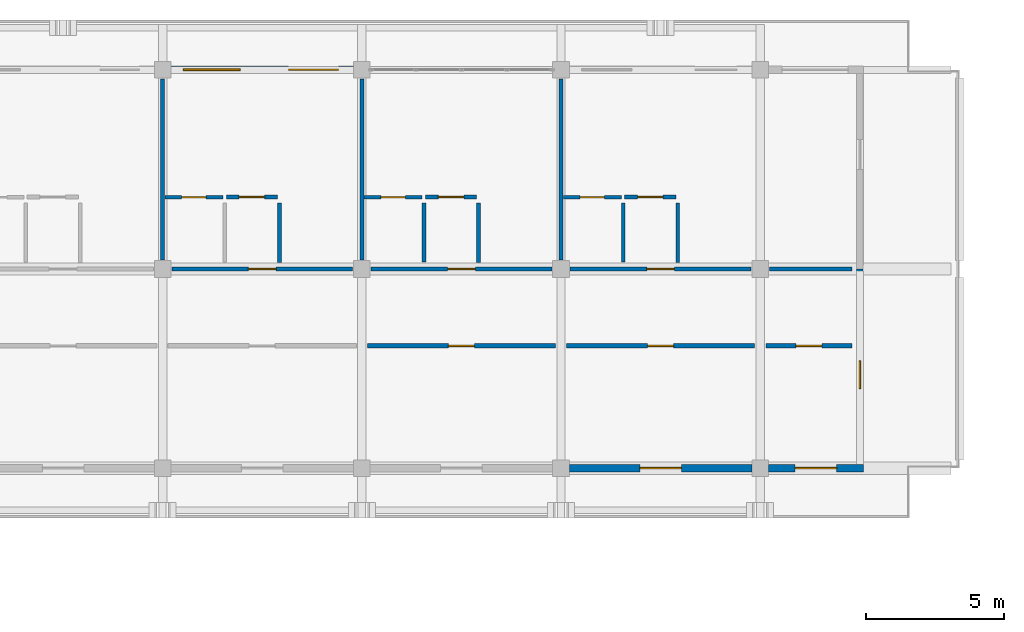
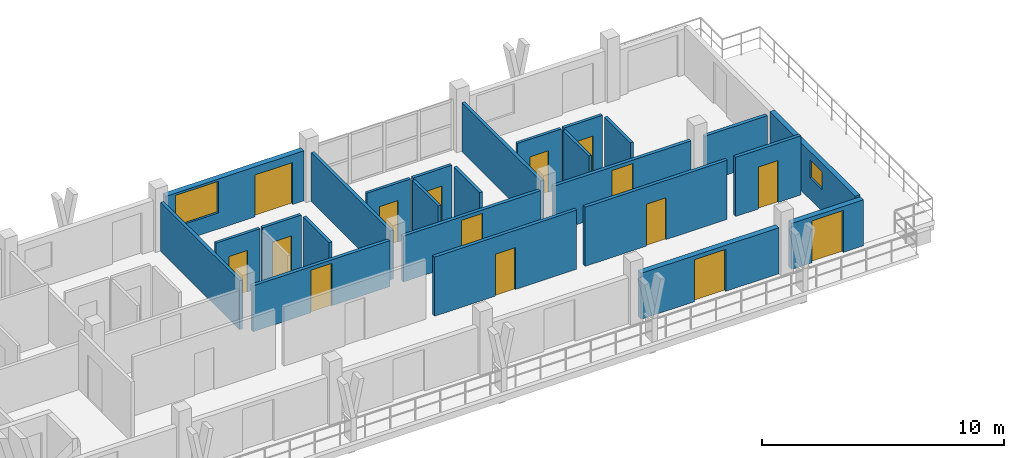
# One storey, part 42 of 67: 25 walls, 15 doors, 2 windows, 17 openings.
"""IFC4 building model written with IfcOpenShell, lengths in metres."""

from ifc_helpers import new_model, si_unit, direction, frame, frame_2d, origin, place, context, subcontext, project, spatial, rectangle, extrude, material, layer, layer_set, type_object, element, fill, save


model = new_model("IFC4")

# Units and contexts
model_context = context("Model", 3, precision=1e-05, world=origin(), true_north=direction((0.0, 1.0)))
body_context = subcontext(model_context, "Body", "Model", "MODEL_VIEW")
ifc_project = project(units=[si_unit("LENGTHUNIT", "METRE"), si_unit("AREAUNIT", "SQUARE_METRE"), si_unit("VOLUMEUNIT", "CUBIC_METRE"), si_unit("PLANEANGLEUNIT", "RADIAN"), si_unit("MASSUNIT", "GRAM", prefix="KILO")], contexts=[model_context])

# Site, building, storey
site_placement = place(None, origin())
site = spatial("IfcSite", under=ifc_project, at=site_placement, CompositionType="ELEMENT")
building_placement = place(site_placement, origin())
building = spatial("IfcBuilding", under=site, at=building_placement, Name="Suanplinth Sawtooth Commons", CompositionType="ELEMENT")
storey_placement = place(building_placement, frame((0.0, 0.0, 25.10009765625)))
storey = spatial("IfcBuildingStorey", under=building, at=storey_placement, Name="L07", CompositionType="ELEMENT", Elevation=25.10009765625)

# Wall, openings, door, window
ifc_material_1 = material(Name="Precast concrete C40/50", Category="concrete")
ifc_layer_1 = layer(ifc_material_1, 0.260009765625, Name="Insulated precast courtyard facade wall 260mm")
ifc_layer_set_1 = layer_set([ifc_layer_1], Name="Precast concrete C40/50")
wall_type_1 = type_object("IfcWallType", Name="W-EX02", PredefinedType="ELEMENTEDWALL", material=ifc_layer_set_1)
wall_1_placement = place(storey_placement, frame((79.5, 122.39990234375, 0.0), z_axis=(0.0, 0.0, 1.0), x_axis=(1.0, 0.0, 0.0)))
wall_1 = element("IfcWall", 1, at=wall_1_placement, inside=storey, type_object=wall_type_1, Name="Facade Wall W-L07-A-N-10", PredefinedType="ELEMENTEDWALL", context=body_context, shape_type="SweptSolid", body=[
    extrude(rectangle(XDim=6.60009765625, YDim=0.260009765625, at=frame_2d((3.300048828125, 0.0))), origin(), (0.0, 0.0, 1.0), 2.52490234375),
])
opening_1_placement = place(wall_1_placement, frame((4.25, 0.0, 0.0)))
opening_1 = element("IfcOpeningElement", 2, at=opening_1_placement, cuts=wall_1, Name="Opening ED0564", PredefinedType="OPENING", context=body_context, shape_type="SweptSolid", body=[
    extrude(rectangle(XDim=1.800048828125, YDim=2.1201171875, at=frame_2d((0.89990234375, 1.06005859375))), frame((0.0, 0.14501953125, 0.0), z_axis=(0.0, -1.0, 0.0), x_axis=(1.0, 0.0, 0.0)), (0.0, 0.0, 1.0), 0.289794921875),
])
opening_2_placement = place(wall_1_placement, frame((0.449951171875, 0.0, 0.81494140625)))
opening_2 = element("IfcOpeningElement", 3, at=opening_2_placement, cuts=wall_1, Name="Opening W0648", PredefinedType="OPENING", context=body_context, shape_type="SweptSolid", body=[
    extrude(rectangle(XDim=2.050048828125, YDim=1.60009765625, at=frame_2d((1.02490234375, 0.800048828125))), frame((0.0, 0.14501953125, 0.0), z_axis=(0.0, -1.0, 0.0), x_axis=(1.0, 0.0, 0.0)), (0.0, 0.0, 1.0), 0.289794921875),
])
ifc_material_2 = material(Name="Anodized aluminium and low-E glass", Category="aluminium")
door_type_1 = type_object("IfcDoorType", Name="SD-01", OperationType="SLIDING_TO_LEFT", PredefinedType="DOOR", material=ifc_material_2)
door_1_placement = place(opening_1_placement, frame((1.800048828125, 0.0, 0.0), z_axis=(0.0, 0.0, 1.0), x_axis=(-1.0, 0.0, 0.0)))
door_1 = element("IfcDoor", 4, at=door_1_placement, inside=storey, type_object=door_type_1, Name="Balcony Sliding Door L07-A-N-10", OperationType="SLIDING_TO_LEFT", OverallHeight=2.1201171875, OverallWidth=1.800048828125, PredefinedType="DOOR", context=body_context, shape_type="SweptSolid", body=[
    extrude(rectangle(XDim=1.800048828125, YDim=2.1201171875, at=frame_2d((0.89990234375, 1.06005859375))), frame((0.0, 0.02490234375, 0.0), z_axis=(0.0, -1.0, 0.0), x_axis=(1.0, 0.0, 0.0)), (0.0, 0.0, 1.0), 0.050048828125),
])
fill(opening_1, door_1)
ifc_material_3 = material(Name="Thermally broken aluminium and low-E double glazing", Category="aluminium")
window_type_1 = type_object("IfcWindowType", Name="WN-25", PartitioningType="DOUBLE_PANEL_VERTICAL", PredefinedType="WINDOW", material=ifc_material_3)
window_1_placement = place(opening_2_placement, origin())
window_1 = element("IfcWindow", 5, at=window_1_placement, inside=storey, type_object=window_type_1, Name="Window L07-A-N-10", OverallHeight=1.60009765625, OverallWidth=2.050048828125, PartitioningType="DOUBLE_PANEL_VERTICAL", PredefinedType="WINDOW", context=body_context, shape_type="SweptSolid", body=[
    extrude(rectangle(XDim=2.050048828125, YDim=1.60009765625, at=frame_2d((1.02490234375, 0.800048828125))), frame((0.0, 0.030029296875, 0.0), z_axis=(0.0, -1.0, 0.0), x_axis=(1.0, 0.0, 0.0)), (0.0, 0.0, 1.0), 0.06005859375),
])
fill(opening_2, window_1)

# Wall, opening, door
wall_2_placement = place(storey_placement, frame((93.89990234375, 108.0, 0.0), z_axis=(0.0, 0.0, 1.0), x_axis=(1.0, 0.0, 0.0)))
wall_2 = element("IfcWall", 6, at=wall_2_placement, inside=storey, type_object=wall_type_1, Name="Courtyard Wall W-L07-A-S-12", PredefinedType="ELEMENTEDWALL", context=body_context, shape_type="SweptSolid", body=[
    extrude(rectangle(XDim=6.60009765625, YDim=0.260009765625, at=frame_2d((3.300048828125, 0.0))), origin(), (0.0, 0.0, 1.0), 2.324951171875),
])
opening_3_placement = place(wall_2_placement, frame((2.550048828125, 0.0, 0.0)))
opening_3 = element("IfcOpeningElement", 7, at=opening_3_placement, cuts=wall_2, Name="Opening ED0568", PredefinedType="OPENING", context=body_context, shape_type="SweptSolid", body=[
    extrude(rectangle(XDim=1.5, YDim=2.1201171875, at=frame_2d((0.75, 1.06005859375))), frame((0.0, 0.14501953125, 0.0), z_axis=(0.0, -1.0, 0.0), x_axis=(1.0, 0.0, 0.0)), (0.0, 0.0, 1.0), 0.289794921875),
])
door_type_2 = type_object("IfcDoorType", Name="SD-03", OperationType="SLIDING_TO_LEFT", PredefinedType="DOOR", material=ifc_material_2)
door_2_placement = place(opening_3_placement, frame((1.5, 0.0, 0.0), z_axis=(0.0, 0.0, 1.0), x_axis=(-1.0, 0.0, 0.0)))
door_2 = element("IfcDoor", 8, at=door_2_placement, inside=storey, type_object=door_type_2, Name="Courtyard Balcony Sliding Door L07-A-S-12", OperationType="SLIDING_TO_LEFT", OverallHeight=2.1201171875, OverallWidth=1.5, PredefinedType="DOOR", context=body_context, shape_type="SweptSolid", body=[
    extrude(rectangle(XDim=1.5, YDim=2.1201171875, at=frame_2d((0.75, 1.06005859375))), frame((0.0, 0.02490234375, 0.0), z_axis=(0.0, -1.0, 0.0), x_axis=(1.0, 0.0, 0.0)), (0.0, 0.0, 1.0), 0.050048828125),
])
fill(opening_3, door_2)

wall_3_placement = place(storey_placement, frame((101.10009765625, 108.0, 0.0), z_axis=(0.0, 0.0, 1.0), x_axis=(1.0, 0.0, 0.0)))
wall_3 = element("IfcWall", 9, at=wall_3_placement, inside=storey, type_object=wall_type_1, Name="Courtyard Wall W-L07-A-S-13", PredefinedType="ELEMENTEDWALL", context=body_context, shape_type="SweptSolid", body=[
    extrude(rectangle(XDim=3.429931640625, YDim=0.260009765625, at=frame_2d((1.71484375, 0.0))), origin(), (0.0, 0.0, 1.0), 2.324951171875),
])
opening_4_placement = place(wall_3_placement, frame((0.965087890625, 0.0, 0.0)))
opening_4 = element("IfcOpeningElement", 10, at=opening_4_placement, cuts=wall_3, Name="Opening ED0570", PredefinedType="OPENING", context=body_context, shape_type="SweptSolid", body=[
    extrude(rectangle(XDim=1.5, YDim=2.1201171875, at=frame_2d((0.75, 1.06005859375))), frame((0.0, 0.14501953125, 0.0), z_axis=(0.0, -1.0, 0.0), x_axis=(1.0, 0.0, 0.0)), (0.0, 0.0, 1.0), 0.289794921875),
])
door_3_placement = place(opening_4_placement, frame((1.5, 0.0, 0.0), z_axis=(0.0, 0.0, 1.0), x_axis=(-1.0, 0.0, 0.0)))
door_3 = element("IfcDoor", 11, at=door_3_placement, inside=storey, type_object=door_type_2, Name="Courtyard Balcony Sliding Door L07-A-S-13", OperationType="SLIDING_TO_LEFT", OverallHeight=2.1201171875, OverallWidth=1.5, PredefinedType="DOOR", context=body_context, shape_type="SweptSolid", body=[
    extrude(rectangle(XDim=1.5, YDim=2.1201171875, at=frame_2d((0.75, 1.06005859375))), frame((0.0, 0.02490234375, 0.0), z_axis=(0.0, -1.0, 0.0), x_axis=(1.0, 0.0, 0.0)), (0.0, 0.0, 1.0), 0.050048828125),
])
fill(opening_4, door_3)

# Wall, opening, window
ifc_layer_2 = layer(ifc_material_1, 0.22998046875, Name="Stepped terrace insulated precast wall 230mm")
ifc_layer_set_2 = layer_set([ifc_layer_2], Name="Precast concrete C40/50")
wall_type_2 = type_object("IfcWallType", Name="W-EX06", PredefinedType="ELEMENTEDWALL", material=ifc_layer_set_2)
wall_4_placement = place(storey_placement, frame((104.39990234375, 108.1298828125, 0.0), z_axis=(0.0, 0.0, 1.0), x_axis=(0.0, 1.0, 0.0)))
wall_4 = element("IfcWall", 12, at=wall_4_placement, inside=storey, type_object=wall_type_2, Name="End Wall W-L07-A-E-15", PredefinedType="ELEMENTEDWALL", context=body_context, shape_type="SweptSolid", body=[
    extrude(rectangle(XDim=7.070068359375, YDim=0.22998046875, at=frame_2d((3.53515625, 0.0))), origin(), (0.0, 0.0, 1.0), 2.4248046875),
])
opening_5_placement = place(wall_4_placement, frame((2.75, 0.0, 1.10009765625)))
opening_5 = element("IfcOpeningElement", 13, at=opening_5_placement, cuts=wall_4, Name="Opening W0651", PredefinedType="OPENING", context=body_context, shape_type="SweptSolid", body=[
    extrude(rectangle(XDim=1.0, YDim=0.89990234375, at=frame_2d((0.5, 0.449951171875))), frame((0.0, 0.1298828125, 0.0), z_axis=(0.0, -1.0, 0.0), x_axis=(1.0, 0.0, 0.0)), (0.0, 0.0, 1.0), 0.259765625),
])
window_type_2 = type_object("IfcWindowType", Name="WN-12", PartitioningType="SINGLE_PANEL", PredefinedType="WINDOW", material=ifc_material_3)
window_2_placement = place(opening_5_placement, origin())
window_2 = element("IfcWindow", 14, at=window_2_placement, inside=storey, type_object=window_type_2, Name="End Window L07-A-E-15", OverallHeight=0.89990234375, OverallWidth=1.0, PartitioningType="SINGLE_PANEL", PredefinedType="WINDOW", context=body_context, shape_type="SweptSolid", body=[
    extrude(rectangle(XDim=1.0, YDim=0.89990234375, at=frame_2d((0.5, 0.449951171875))), frame((0.0, 0.030029296875, 0.0), z_axis=(0.0, -1.0, 0.0), x_axis=(1.0, 0.0, 0.0)), (0.0, 0.0, 1.0), 0.06005859375),
])
fill(opening_5, window_2)

# Wall, opening, door
ifc_layer_3 = layer(ifc_material_1, 0.159912109375, Name="Fire-rated corridor and lobby wall 160mm")
ifc_layer_set_3 = layer_set([ifc_layer_3], Name="Precast concrete C40/50")
wall_type_3 = type_object("IfcWallType", Name="W-FW01", PredefinedType="PARTITIONING", material=ifc_layer_set_3)
wall_5_placement = place(storey_placement, frame((79.530029296875, 115.199951171875, 0.0), z_axis=(0.0, 0.0, 1.0), x_axis=(1.0, 0.0, 0.0)))
wall_5 = element("IfcWall", 15, at=wall_5_placement, inside=storey, type_object=wall_type_3, Name="W-A-L07-U08-COR", PredefinedType="PARTITIONING", context=body_context, shape_type="SweptSolid", body=[
    extrude(rectangle(XDim=6.5400390625, YDim=0.159912109375, at=frame_2d((3.27001953125, 0.0))), origin(), (0.0, 0.0, 1.0), 2.324951171875),
])
opening_6_placement = place(wall_5_placement, frame((2.77001953125, 0.0, 0.0)))
opening_6 = element("IfcOpeningElement", 16, at=opening_6_placement, cuts=wall_5, Name="Opening FD1524", PredefinedType="OPENING", context=body_context, shape_type="SweptSolid", body=[
    extrude(rectangle(XDim=1.0, YDim=2.14990234375, at=frame_2d((0.5, 1.074951171875))), frame((0.0, 0.0947265625, 0.0), z_axis=(0.0, -1.0, 0.0), x_axis=(1.0, 0.0, 0.0)), (0.0, 0.0, 1.0), 0.189697265625),
])
ifc_material_4 = material(Name="Teak hardwood fire-rated door assembly", Category="wood")
door_type_3 = type_object("IfcDoorType", Name="FD-03", OperationType="NOTDEFINED", PredefinedType="DOOR", material=ifc_material_4)
door_4_placement = place(opening_6_placement, origin())
door_4 = element("IfcDoor", 17, at=door_4_placement, inside=storey, type_object=door_type_3, Name="Unit Entrance Door FD1524", OperationType="SINGLE_SWING_RIGHT", OverallHeight=2.14990234375, OverallWidth=1.0, PredefinedType="DOOR", context=body_context, shape_type="SweptSolid", body=[
    extrude(rectangle(XDim=1.0, YDim=2.14990234375, at=frame_2d((0.5, 1.074951171875))), frame((0.0, 0.02490234375, 0.0), z_axis=(0.0, -1.0, 0.0), x_axis=(1.0, 0.0, 0.0)), (0.0, 0.0, 1.0), 0.050048828125),
])
fill(opening_6, door_4)

wall_6_placement = place(storey_placement, frame((86.72998046875, 115.199951171875, 0.0), z_axis=(0.0, 0.0, 1.0), x_axis=(1.0, 0.0, 0.0)))
wall_6 = element("IfcWall", 18, at=wall_6_placement, inside=storey, type_object=wall_type_3, Name="W-A-L07-U09-COR", PredefinedType="PARTITIONING", context=body_context, shape_type="SweptSolid", body=[
    extrude(rectangle(XDim=6.5400390625, YDim=0.159912109375, at=frame_2d((3.27001953125, 0.0))), origin(), (0.0, 0.0, 1.0), 2.324951171875),
])
opening_7_placement = place(wall_6_placement, frame((2.77001953125, 0.0, 0.0)))
opening_7 = element("IfcOpeningElement", 19, at=opening_7_placement, cuts=wall_6, Name="Opening FD1527", PredefinedType="OPENING", context=body_context, shape_type="SweptSolid", body=[
    extrude(rectangle(XDim=1.0, YDim=2.14990234375, at=frame_2d((0.5, 1.074951171875))), frame((0.0, 0.0947265625, 0.0), z_axis=(0.0, -1.0, 0.0), x_axis=(1.0, 0.0, 0.0)), (0.0, 0.0, 1.0), 0.189697265625),
])
door_5_placement = place(opening_7_placement, origin())
door_5 = element("IfcDoor", 20, at=door_5_placement, inside=storey, type_object=door_type_3, Name="Unit Entrance Door FD1527", OperationType="SINGLE_SWING_LEFT", OverallHeight=2.14990234375, OverallWidth=1.0, PredefinedType="DOOR", context=body_context, shape_type="SweptSolid", body=[
    extrude(rectangle(XDim=1.0, YDim=2.14990234375, at=frame_2d((0.5, 1.074951171875))), frame((0.0, 0.02490234375, 0.0), z_axis=(0.0, -1.0, 0.0), x_axis=(1.0, 0.0, 0.0)), (0.0, 0.0, 1.0), 0.050048828125),
])
fill(opening_7, door_5)

wall_7_placement = place(storey_placement, frame((93.929931640625, 115.199951171875, 0.0), z_axis=(0.0, 0.0, 1.0), x_axis=(1.0, 0.0, 0.0)))
wall_7 = element("IfcWall", 21, at=wall_7_placement, inside=storey, type_object=wall_type_3, Name="W-A-L07-U10-COR-S1", PredefinedType="PARTITIONING", context=body_context, shape_type="SweptSolid", body=[
    extrude(rectangle(XDim=6.5400390625, YDim=0.159912109375, at=frame_2d((3.27001953125, 0.0))), origin(), (0.0, 0.0, 1.0), 2.324951171875),
])
opening_8_placement = place(wall_7_placement, frame((2.77001953125, 0.0, 0.0)))
opening_8 = element("IfcOpeningElement", 22, at=opening_8_placement, cuts=wall_7, Name="Opening FD1530", PredefinedType="OPENING", context=body_context, shape_type="SweptSolid", body=[
    extrude(rectangle(XDim=1.0, YDim=2.14990234375, at=frame_2d((0.5, 1.074951171875))), frame((0.0, 0.0947265625, 0.0), z_axis=(0.0, -1.0, 0.0), x_axis=(1.0, 0.0, 0.0)), (0.0, 0.0, 1.0), 0.189697265625),
])
door_6_placement = place(opening_8_placement, origin())
door_6 = element("IfcDoor", 23, at=door_6_placement, inside=storey, type_object=door_type_3, Name="Unit Entrance Door FD1530", OperationType="SINGLE_SWING_RIGHT", OverallHeight=2.14990234375, OverallWidth=1.0, PredefinedType="DOOR", context=body_context, shape_type="SweptSolid", body=[
    extrude(rectangle(XDim=1.0, YDim=2.14990234375, at=frame_2d((0.5, 1.074951171875))), frame((0.0, 0.02490234375, 0.0), z_axis=(0.0, -1.0, 0.0), x_axis=(1.0, 0.0, 0.0)), (0.0, 0.0, 1.0), 0.050048828125),
])
fill(opening_8, door_6)

# Wall
wall_8_placement = place(storey_placement, frame((101.1298828125, 115.199951171875, 0.0), z_axis=(0.0, 0.0, 1.0), x_axis=(1.0, 0.0, 0.0)))
element("IfcWall", 24, at=wall_8_placement, inside=storey, type_object=wall_type_3, Name="W-A-L07-U10-COR-S2", PredefinedType="PARTITIONING", context=body_context, shape_type="SweptSolid", body=[
    extrude(rectangle(XDim=2.990234375, YDim=0.159912109375, at=frame_2d((1.4951171875, 0.0))), origin(), (0.0, 0.0, 1.0), 2.324951171875),
])

# Wall, opening, door
wall_9_placement = place(storey_placement, frame((86.60009765625, 112.419921875, 0.0), z_axis=(0.0, 0.0, 1.0), x_axis=(1.0, 0.0, 0.0)))
wall_9 = element("IfcWall", 25, at=wall_9_placement, inside=storey, type_object=wall_type_3, Name="W-A-L07-COURTROOM-17-COR", PredefinedType="PARTITIONING", context=body_context, shape_type="SweptSolid", body=[
    extrude(rectangle(XDim=6.7998046875, YDim=0.159912109375, at=frame_2d((3.39990234375, 0.0))), origin(), (0.0, 0.0, 1.0), 2.989990234375),
])
opening_9_placement = place(wall_9_placement, frame((2.929931640625, 0.0, 0.0)))
opening_9 = element("IfcOpeningElement", 26, at=opening_9_placement, cuts=wall_9, Name="Opening D1540", PredefinedType="OPENING", context=body_context, shape_type="SweptSolid", body=[
    extrude(rectangle(XDim=0.93994140625, YDim=2.1201171875, at=frame_2d((0.469970703125, 1.06005859375))), frame((0.0, 0.0947265625, 0.0), z_axis=(0.0, -1.0, 0.0), x_axis=(1.0, 0.0, 0.0)), (0.0, 0.0, 1.0), 0.189697265625),
])
ifc_material_5 = material(Name="Teak hardwood", Category="wood")
door_type_4 = type_object("IfcDoorType", Name="D-15", OperationType="NOTDEFINED", PredefinedType="DOOR", material=ifc_material_5)
door_7_placement = place(opening_9_placement, frame((0.93994140625, 0.0, 0.0), z_axis=(0.0, 0.0, 1.0), x_axis=(-1.0, 0.0, 0.0)))
door_7 = element("IfcDoor", 27, at=door_7_placement, inside=storey, type_object=door_type_4, Name="Study Studio Door D1540", OperationType="SINGLE_SWING_RIGHT", OverallHeight=2.1201171875, OverallWidth=0.93994140625, PredefinedType="DOOR", context=body_context, shape_type="SweptSolid", body=[
    extrude(rectangle(XDim=0.93994140625, YDim=2.1201171875, at=frame_2d((0.469970703125, 1.06005859375))), frame((0.0, 0.02490234375, 0.0), z_axis=(0.0, -1.0, 0.0), x_axis=(1.0, 0.0, 0.0)), (0.0, 0.0, 1.0), 0.050048828125),
])
fill(opening_9, door_7)

wall_10_placement = place(storey_placement, frame((93.800048828125, 112.419921875, 0.0), z_axis=(0.0, 0.0, 1.0), x_axis=(1.0, 0.0, 0.0)))
wall_10 = element("IfcWall", 28, at=wall_10_placement, inside=storey, type_object=wall_type_3, Name="W-A-L07-COURTROOM-18-COR", PredefinedType="PARTITIONING", context=body_context, shape_type="SweptSolid", body=[
    extrude(rectangle(XDim=6.800048828125, YDim=0.159912109375, at=frame_2d((3.39990234375, 0.0))), origin(), (0.0, 0.0, 1.0), 2.989990234375),
])
opening_10_placement = place(wall_10_placement, frame((2.929931640625, 0.0, 0.0)))
opening_10 = element("IfcOpeningElement", 29, at=opening_10_placement, cuts=wall_10, Name="Opening D1541", PredefinedType="OPENING", context=body_context, shape_type="SweptSolid", body=[
    extrude(rectangle(XDim=0.93994140625, YDim=2.1201171875, at=frame_2d((0.469970703125, 1.06005859375))), frame((0.0, 0.0947265625, 0.0), z_axis=(0.0, -1.0, 0.0), x_axis=(1.0, 0.0, 0.0)), (0.0, 0.0, 1.0), 0.189697265625),
])
door_8_placement = place(opening_10_placement, frame((0.93994140625, 0.0, 0.0), z_axis=(0.0, 0.0, 1.0), x_axis=(-1.0, 0.0, 0.0)))
door_8 = element("IfcDoor", 30, at=door_8_placement, inside=storey, type_object=door_type_4, Name="Study Studio Door D1541", OperationType="SINGLE_SWING_LEFT", OverallHeight=2.1201171875, OverallWidth=0.93994140625, PredefinedType="DOOR", context=body_context, shape_type="SweptSolid", body=[
    extrude(rectangle(XDim=0.93994140625, YDim=2.1201171875, at=frame_2d((0.469970703125, 1.06005859375))), frame((0.0, 0.02490234375, 0.0), z_axis=(0.0, -1.0, 0.0), x_axis=(1.0, 0.0, 0.0)), (0.0, 0.0, 1.0), 0.050048828125),
])
fill(opening_10, door_8)

wall_11_placement = place(storey_placement, frame((101.0, 112.419921875, 0.0), z_axis=(0.0, 0.0, 1.0), x_axis=(1.0, 0.0, 0.0)))
wall_11 = element("IfcWall", 31, at=wall_11_placement, inside=storey, type_object=wall_type_3, Name="W-A-L07-COURTROOM-19-COR", PredefinedType="PARTITIONING", context=body_context, shape_type="SweptSolid", body=[
    extrude(rectangle(XDim=3.1201171875, YDim=0.159912109375, at=frame_2d((1.56005859375, 0.0))), origin(), (0.0, 0.0, 1.0), 2.989990234375),
])
opening_11_placement = place(wall_11_placement, frame((1.090087890625, 0.0, 0.0)))
opening_11 = element("IfcOpeningElement", 32, at=opening_11_placement, cuts=wall_11, Name="Opening D1542", PredefinedType="OPENING", context=body_context, shape_type="SweptSolid", body=[
    extrude(rectangle(XDim=0.93994140625, YDim=2.1201171875, at=frame_2d((0.469970703125, 1.06005859375))), frame((0.0, 0.0947265625, 0.0), z_axis=(0.0, -1.0, 0.0), x_axis=(1.0, 0.0, 0.0)), (0.0, 0.0, 1.0), 0.189697265625),
])
door_9_placement = place(opening_11_placement, frame((0.93994140625, 0.0, 0.0), z_axis=(0.0, 0.0, 1.0), x_axis=(-1.0, 0.0, 0.0)))
door_9 = element("IfcDoor", 33, at=door_9_placement, inside=storey, type_object=door_type_4, Name="Study Studio Door D1542", OperationType="SINGLE_SWING_RIGHT", OverallHeight=2.1201171875, OverallWidth=0.93994140625, PredefinedType="DOOR", context=body_context, shape_type="SweptSolid", body=[
    extrude(rectangle(XDim=0.93994140625, YDim=2.1201171875, at=frame_2d((0.469970703125, 1.06005859375))), frame((0.0, 0.02490234375, 0.0), z_axis=(0.0, -1.0, 0.0), x_axis=(1.0, 0.0, 0.0)), (0.0, 0.0, 1.0), 0.050048828125),
])
fill(opening_11, door_9)

# Walls
ifc_layer_4 = layer(ifc_material_1, 0.14990234375, Name="Acoustic precast party demising wall 150mm")
ifc_layer_set_4 = layer_set([ifc_layer_4], Name="Precast concrete C40/50")
wall_type_4 = type_object("IfcWallType", Name="W-FW02", PredefinedType="PARTITIONING", material=ifc_layer_set_4)
for number, where, z_axis, x_axis, name in (
    (34, (79.199951171875, 115.530029296875, 0.0), (0.0, 0.0, 1.0), (0.0, 1.0, 0.0), "W-A-L07-U07-PTY"),
    (35, (86.39990234375, 115.530029296875, 0.0), (0.0, 0.0, 1.0), (0.0, 1.0, 0.0), "W-A-L07-U08-PTY"),
    (36, (93.60009765625, 115.530029296875, 0.0), (0.0, 0.0, 1.0), (0.0, 1.0, 0.0), "W-A-L07-U09-PTY"),
):
    element("IfcWall", number, at=place(storey_placement, frame(where, z_axis=z_axis, x_axis=x_axis)), inside=storey, type_object=wall_type_4, Name=name, PredefinedType="PARTITIONING", context=body_context, shape_type="SweptSolid", body=[
        extrude(rectangle(XDim=6.5400390625, YDim=0.14990234375, at=frame_2d((3.27001953125, 0.0))), origin(), (0.0, 0.0, 1.0), 2.474853515625),
    ])

# Wall, opening, door
ifc_material_6 = material(Name="Gypsum plasterboard on steel stud", Category="steel")
ifc_layer_5 = layer(ifc_material_6, 0.139892578125, Name="Fire-rated kitchen partition 140mm")
ifc_layer_set_5 = layer_set([ifc_layer_5], Name="Gypsum plasterboard on steel stud")
wall_type_5 = type_object("IfcWallType", Name="W-PT01", PredefinedType="PARTITIONING", material=ifc_layer_set_5)
wall_12_placement = place(storey_placement, frame((81.5, 117.800048828125, 0.0), z_axis=(0.0, 0.0, 1.0), x_axis=(1.0, 0.0, 0.0)))
wall_12 = element("IfcWall", 37, at=wall_12_placement, inside=storey, type_object=wall_type_5, Name="W-A-L07-U08-KIT1", PredefinedType="PARTITIONING", context=body_context, shape_type="SweptSolid", body=[
    extrude(rectangle(XDim=1.85009765625, YDim=0.139892578125, at=frame_2d((0.925048828125, 0.0))), origin(), (0.0, 0.0, 1.0), 2.989990234375),
])
opening_12_placement = place(wall_12_placement, frame((0.465087890625, 0.0, 0.0)))
opening_12 = element("IfcOpeningElement", 38, at=opening_12_placement, cuts=wall_12, Name="Opening D1526", PredefinedType="OPENING", context=body_context, shape_type="SweptSolid", body=[
    extrude(rectangle(XDim=0.919921875, YDim=2.10009765625, at=frame_2d((0.4599609375, 1.050048828125))), frame((0.0, 0.0849609375, 0.0), z_axis=(0.0, -1.0, 0.0), x_axis=(1.0, 0.0, 0.0)), (0.0, 0.0, 1.0), 0.169677734375),
])
door_type_5 = type_object("IfcDoorType", Name="D-02", OperationType="NOTDEFINED", PredefinedType="DOOR", material=ifc_material_5)
door_10_placement = place(opening_12_placement, frame((0.919921875, 0.0, 0.0), z_axis=(0.0, 0.0, 1.0), x_axis=(-1.0, 0.0, 0.0)))
door_10 = element("IfcDoor", 39, at=door_10_placement, inside=storey, type_object=door_type_5, Name="Kitchen Door D1526", OperationType="SINGLE_SWING_RIGHT", OverallHeight=2.10009765625, OverallWidth=0.919921875, PredefinedType="DOOR", context=body_context, shape_type="SweptSolid", body=[
    extrude(rectangle(XDim=0.919921875, YDim=2.10009765625, at=frame_2d((0.4599609375, 1.050048828125))), frame((0.0, 0.02490234375, 0.0), z_axis=(0.0, -1.0, 0.0), x_axis=(1.0, 0.0, 0.0)), (0.0, 0.0, 1.0), 0.050048828125),
])
fill(opening_12, door_10)

# Wall
wall_13_placement = place(storey_placement, frame((83.419921875, 115.429931640625, 0.0), z_axis=(0.0, 0.0, 1.0), x_axis=(0.0, 1.0, 0.0)))
element("IfcWall", 40, at=wall_13_placement, inside=storey, type_object=wall_type_5, Name="W-A-L07-U08-KIT2", PredefinedType="PARTITIONING", context=body_context, shape_type="SweptSolid", body=[
    extrude(rectangle(XDim=2.150146484375, YDim=0.139892578125, at=frame_2d((1.0751953125, 0.0))), origin(), (0.0, 0.0, 1.0), 2.989990234375),
])

# Wall, opening, door
wall_14_placement = place(storey_placement, frame((88.699951171875, 117.800048828125, 0.0), z_axis=(0.0, 0.0, 1.0), x_axis=(1.0, 0.0, 0.0)))
wall_14 = element("IfcWall", 41, at=wall_14_placement, inside=storey, type_object=wall_type_5, Name="W-A-L07-U09-KIT1", PredefinedType="PARTITIONING", context=body_context, shape_type="SweptSolid", body=[
    extrude(rectangle(XDim=1.85009765625, YDim=0.139892578125, at=frame_2d((0.925048828125, 0.0))), origin(), (0.0, 0.0, 1.0), 2.989990234375),
])
opening_13_placement = place(wall_14_placement, frame((0.465087890625, 0.0, 0.0)))
opening_13 = element("IfcOpeningElement", 42, at=opening_13_placement, cuts=wall_14, Name="Opening D1529", PredefinedType="OPENING", context=body_context, shape_type="SweptSolid", body=[
    extrude(rectangle(XDim=0.919921875, YDim=2.10009765625, at=frame_2d((0.4599609375, 1.050048828125))), frame((0.0, 0.0849609375, 0.0), z_axis=(0.0, -1.0, 0.0), x_axis=(1.0, 0.0, 0.0)), (0.0, 0.0, 1.0), 0.169677734375),
])
door_11_placement = place(opening_13_placement, frame((0.919921875, 0.0, 0.0), z_axis=(0.0, 0.0, 1.0), x_axis=(-1.0, 0.0, 0.0)))
door_11 = element("IfcDoor", 43, at=door_11_placement, inside=storey, type_object=door_type_5, Name="Kitchen Door D1529", OperationType="SINGLE_SWING_LEFT", OverallHeight=2.10009765625, OverallWidth=0.919921875, PredefinedType="DOOR", context=body_context, shape_type="SweptSolid", body=[
    extrude(rectangle(XDim=0.919921875, YDim=2.10009765625, at=frame_2d((0.4599609375, 1.050048828125))), frame((0.0, 0.02490234375, 0.0), z_axis=(0.0, -1.0, 0.0), x_axis=(1.0, 0.0, 0.0)), (0.0, 0.0, 1.0), 0.050048828125),
])
fill(opening_13, door_11)

# Wall
wall_15_placement = place(storey_placement, frame((90.6201171875, 115.429931640625, 0.0), z_axis=(0.0, 0.0, 1.0), x_axis=(0.0, 1.0, 0.0)))
element("IfcWall", 44, at=wall_15_placement, inside=storey, type_object=wall_type_5, Name="W-A-L07-U09-KIT2", PredefinedType="PARTITIONING", context=body_context, shape_type="SweptSolid", body=[
    extrude(rectangle(XDim=2.150146484375, YDim=0.139892578125, at=frame_2d((1.0751953125, 0.0))), origin(), (0.0, 0.0, 1.0), 2.989990234375),
])

# Wall, opening, door
wall_16_placement = place(storey_placement, frame((95.89990234375, 117.800048828125, 0.0), z_axis=(0.0, 0.0, 1.0), x_axis=(1.0, 0.0, 0.0)))
wall_16 = element("IfcWall", 45, at=wall_16_placement, inside=storey, type_object=wall_type_5, Name="W-A-L07-U10-KIT1", PredefinedType="PARTITIONING", context=body_context, shape_type="SweptSolid", body=[
    extrude(rectangle(XDim=1.85009765625, YDim=0.139892578125, at=frame_2d((0.925048828125, 0.0))), origin(), (0.0, 0.0, 1.0), 2.989990234375),
])
opening_14_placement = place(wall_16_placement, frame((0.465087890625, 0.0, 0.0)))
opening_14 = element("IfcOpeningElement", 46, at=opening_14_placement, cuts=wall_16, Name="Opening D1532", PredefinedType="OPENING", context=body_context, shape_type="SweptSolid", body=[
    extrude(rectangle(XDim=0.919921875, YDim=2.10009765625, at=frame_2d((0.4599609375, 1.050048828125))), frame((0.0, 0.0849609375, 0.0), z_axis=(0.0, -1.0, 0.0), x_axis=(1.0, 0.0, 0.0)), (0.0, 0.0, 1.0), 0.169677734375),
])
door_12_placement = place(opening_14_placement, frame((0.919921875, 0.0, 0.0), z_axis=(0.0, 0.0, 1.0), x_axis=(-1.0, 0.0, 0.0)))
door_12 = element("IfcDoor", 47, at=door_12_placement, inside=storey, type_object=door_type_5, Name="Kitchen Door D1532", OperationType="SINGLE_SWING_RIGHT", OverallHeight=2.10009765625, OverallWidth=0.919921875, PredefinedType="DOOR", context=body_context, shape_type="SweptSolid", body=[
    extrude(rectangle(XDim=0.919921875, YDim=2.10009765625, at=frame_2d((0.4599609375, 1.050048828125))), frame((0.0, 0.02490234375, 0.0), z_axis=(0.0, -1.0, 0.0), x_axis=(1.0, 0.0, 0.0)), (0.0, 0.0, 1.0), 0.050048828125),
])
fill(opening_14, door_12)

# Wall
wall_17_placement = place(storey_placement, frame((97.820068359375, 115.429931640625, 0.0), z_axis=(0.0, 0.0, 1.0), x_axis=(0.0, 1.0, 0.0)))
element("IfcWall", 48, at=wall_17_placement, inside=storey, type_object=wall_type_5, Name="W-A-L07-U10-KIT2", PredefinedType="PARTITIONING", context=body_context, shape_type="SweptSolid", body=[
    extrude(rectangle(XDim=2.150146484375, YDim=0.139892578125, at=frame_2d((1.0751953125, 0.0))), origin(), (0.0, 0.0, 1.0), 2.989990234375),
])

# Wall, opening, door
ifc_layer_6 = layer(ifc_material_6, 0.1298828125, Name="Moisture-resistant bathroom partition 130mm")
ifc_layer_set_6 = layer_set([ifc_layer_6], Name="Gypsum plasterboard on steel stud")
wall_type_6 = type_object("IfcWallType", Name="W-PT02", PredefinedType="PARTITIONING", material=ifc_layer_set_6)
wall_18_placement = place(storey_placement, frame((79.280029296875, 117.794921875, 0.0), z_axis=(0.0, 0.0, 1.0), x_axis=(1.0, 0.0, 0.0)))
wall_18 = element("IfcWall", 49, at=wall_18_placement, inside=storey, type_object=wall_type_6, Name="W-A-L07-U08-BTH1", PredefinedType="PARTITIONING", context=body_context, shape_type="SweptSolid", body=[
    extrude(rectangle(XDim=2.099853515625, YDim=0.1298828125, at=frame_2d((1.0498046875, 0.0))), origin(), (0.0, 0.0, 1.0), 2.989990234375),
])
opening_15_placement = place(wall_18_placement, frame((0.610107421875, 0.0, 0.0)))
opening_15 = element("IfcOpeningElement", 50, at=opening_15_placement, cuts=wall_18, Name="Opening D1525", PredefinedType="OPENING", context=body_context, shape_type="SweptSolid", body=[
    extrude(rectangle(XDim=0.8798828125, YDim=2.10009765625, at=frame_2d((0.43994140625, 1.050048828125))), frame((0.0, 0.079833984375, 0.0), z_axis=(0.0, -1.0, 0.0), x_axis=(1.0, 0.0, 0.0)), (0.0, 0.0, 1.0), 0.15966796875),
])
door_type_6 = type_object("IfcDoorType", Name="D-14", OperationType="NOTDEFINED", PredefinedType="DOOR", material=ifc_material_5)
door_13_placement = place(opening_15_placement, frame((0.8798828125, 0.0, 0.0), z_axis=(0.0, 0.0, 1.0), x_axis=(-1.0, 0.0, 0.0)))
door_13 = element("IfcDoor", 51, at=door_13_placement, inside=storey, type_object=door_type_6, Name="Bathroom Door D1525", OperationType="SINGLE_SWING_LEFT", OverallHeight=2.10009765625, OverallWidth=0.8798828125, PredefinedType="DOOR", context=body_context, shape_type="SweptSolid", body=[
    extrude(rectangle(XDim=0.8798828125, YDim=2.10009765625, at=frame_2d((0.43994140625, 1.050048828125))), frame((0.0, 0.02490234375, 0.0), z_axis=(0.0, -1.0, 0.0), x_axis=(1.0, 0.0, 0.0)), (0.0, 0.0, 1.0), 0.050048828125),
])
fill(opening_15, door_13)

wall_19_placement = place(storey_placement, frame((86.47998046875, 117.794921875, 0.0), z_axis=(0.0, 0.0, 1.0), x_axis=(1.0, 0.0, 0.0)))
wall_19 = element("IfcWall", 52, at=wall_19_placement, inside=storey, type_object=wall_type_6, Name="W-A-L07-U09-BTH1", PredefinedType="PARTITIONING", context=body_context, shape_type="SweptSolid", body=[
    extrude(rectangle(XDim=2.10009765625, YDim=0.1298828125, at=frame_2d((1.050048828125, 0.0))), origin(), (0.0, 0.0, 1.0), 2.989990234375),
])
opening_16_placement = place(wall_19_placement, frame((0.610107421875, 0.0, 0.0)))
opening_16 = element("IfcOpeningElement", 53, at=opening_16_placement, cuts=wall_19, Name="Opening D1528", PredefinedType="OPENING", context=body_context, shape_type="SweptSolid", body=[
    extrude(rectangle(XDim=0.8798828125, YDim=2.10009765625, at=frame_2d((0.43994140625, 1.050048828125))), frame((0.0, 0.079833984375, 0.0), z_axis=(0.0, -1.0, 0.0), x_axis=(1.0, 0.0, 0.0)), (0.0, 0.0, 1.0), 0.15966796875),
])
door_14_placement = place(opening_16_placement, frame((0.8798828125, 0.0, 0.0), z_axis=(0.0, 0.0, 1.0), x_axis=(-1.0, 0.0, 0.0)))
door_14 = element("IfcDoor", 54, at=door_14_placement, inside=storey, type_object=door_type_6, Name="Bathroom Door D1528", OperationType="SINGLE_SWING_RIGHT", OverallHeight=2.10009765625, OverallWidth=0.8798828125, PredefinedType="DOOR", context=body_context, shape_type="SweptSolid", body=[
    extrude(rectangle(XDim=0.8798828125, YDim=2.10009765625, at=frame_2d((0.43994140625, 1.050048828125))), frame((0.0, 0.02490234375, 0.0), z_axis=(0.0, -1.0, 0.0), x_axis=(1.0, 0.0, 0.0)), (0.0, 0.0, 1.0), 0.050048828125),
])
fill(opening_16, door_14)

# Wall
wall_20_placement = place(storey_placement, frame((88.64501953125, 115.4599609375, 0.0), z_axis=(0.0, 0.0, 1.0), x_axis=(0.0, 1.0, 0.0)))
element("IfcWall", 55, at=wall_20_placement, inside=storey, type_object=wall_type_6, Name="W-A-L07-U09-BTH2", PredefinedType="PARTITIONING", context=body_context, shape_type="SweptSolid", body=[
    extrude(rectangle(XDim=2.130126953125, YDim=0.1298828125, at=frame_2d((1.06494140625, 0.0))), origin(), (0.0, 0.0, 1.0), 2.989990234375),
])

# Wall, opening, door
wall_21_placement = place(storey_placement, frame((93.679931640625, 117.794921875, 0.0), z_axis=(0.0, 0.0, 1.0), x_axis=(1.0, 0.0, 0.0)))
wall_21 = element("IfcWall", 56, at=wall_21_placement, inside=storey, type_object=wall_type_6, Name="W-A-L07-U10-BTH1", PredefinedType="PARTITIONING", context=body_context, shape_type="SweptSolid", body=[
    extrude(rectangle(XDim=2.10009765625, YDim=0.1298828125, at=frame_2d((1.050048828125, 0.0))), origin(), (0.0, 0.0, 1.0), 2.989990234375),
])
opening_17_placement = place(wall_21_placement, frame((0.610107421875, 0.0, 0.0)))
opening_17 = element("IfcOpeningElement", 57, at=opening_17_placement, cuts=wall_21, Name="Opening D1531", PredefinedType="OPENING", context=body_context, shape_type="SweptSolid", body=[
    extrude(rectangle(XDim=0.8798828125, YDim=2.10009765625, at=frame_2d((0.43994140625, 1.050048828125))), frame((0.0, 0.079833984375, 0.0), z_axis=(0.0, -1.0, 0.0), x_axis=(1.0, 0.0, 0.0)), (0.0, 0.0, 1.0), 0.15966796875),
])
door_15_placement = place(opening_17_placement, frame((0.8798828125, 0.0, 0.0), z_axis=(0.0, 0.0, 1.0), x_axis=(-1.0, 0.0, 0.0)))
door_15 = element("IfcDoor", 58, at=door_15_placement, inside=storey, type_object=door_type_6, Name="Bathroom Door D1531", OperationType="SINGLE_SWING_LEFT", OverallHeight=2.10009765625, OverallWidth=0.8798828125, PredefinedType="DOOR", context=body_context, shape_type="SweptSolid", body=[
    extrude(rectangle(XDim=0.8798828125, YDim=2.10009765625, at=frame_2d((0.43994140625, 1.050048828125))), frame((0.0, 0.02490234375, 0.0), z_axis=(0.0, -1.0, 0.0), x_axis=(1.0, 0.0, 0.0)), (0.0, 0.0, 1.0), 0.050048828125),
])
fill(opening_17, door_15)

# Wall
wall_22_placement = place(storey_placement, frame((95.844970703125, 115.4599609375, 0.0), z_axis=(0.0, 0.0, 1.0), x_axis=(0.0, 1.0, 0.0)))
element("IfcWall", 59, at=wall_22_placement, inside=storey, type_object=wall_type_6, Name="W-A-L07-U10-BTH2", PredefinedType="PARTITIONING", context=body_context, shape_type="SweptSolid", body=[
    extrude(rectangle(XDim=2.130126953125, YDim=0.1298828125, at=frame_2d((1.06494140625, 0.0))), origin(), (0.0, 0.0, 1.0), 2.989990234375),
])

save(model, "model.ifc")
